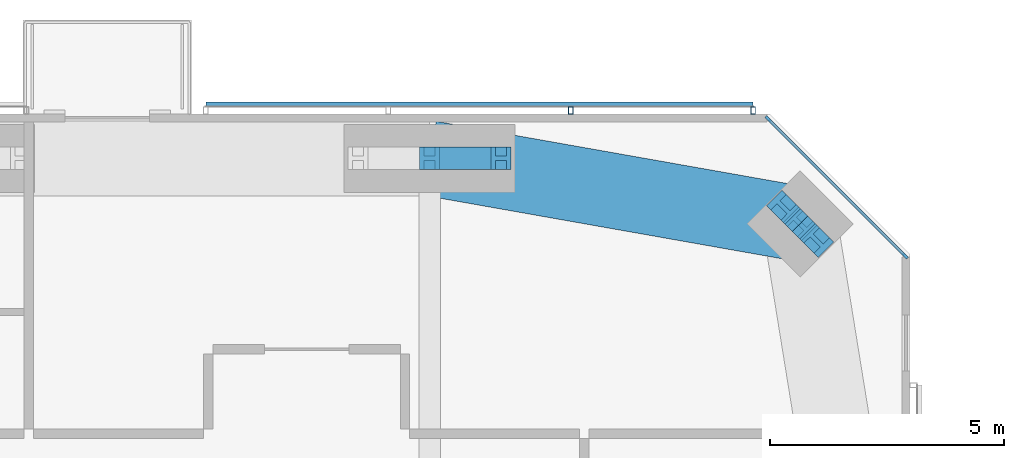
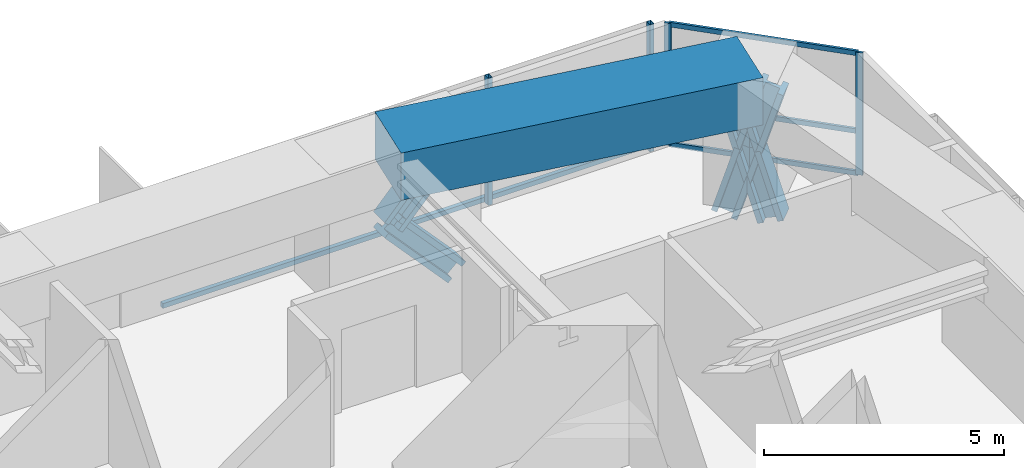
# One storey, part 13 of 22: 14 members, 1 beam, 2 elements without a shape of their own.
"""IFC4 building model written with IfcOpenShell, lengths in metres."""

from ifc_helpers import new_model, si_unit, direction, frame, origin, origin_2d, place, context, subcontext, project, spatial, rectangle, hollow_rectangle, i_section, extrude, material, material_profile, profile_set, type_object, element, aggregate, save


model = new_model("IFC4")

# Units and contexts
model_context = context("Model", 3, precision=1e-05, world=origin(), true_north=direction((0.0, 1.0)))
body_context = subcontext(model_context, "Body", "Model", "MODEL_VIEW")
ifc_project = project(units=[si_unit("LENGTHUNIT", "METRE"), si_unit("AREAUNIT", "SQUARE_METRE"), si_unit("VOLUMEUNIT", "CUBIC_METRE"), si_unit("PLANEANGLEUNIT", "RADIAN"), si_unit("MASSUNIT", "GRAM", prefix="KILO")], contexts=[model_context])

# Site, building, storey
site_placement = place(None, origin())
site = spatial("IfcSite", under=ifc_project, at=site_placement, CompositionType="ELEMENT")
building_placement = place(site_placement, origin())
building = spatial("IfcBuilding", under=site, at=building_placement, Name="Jalousie Tower", CompositionType="ELEMENT")
storey_placement = place(building_placement, frame((0.0, 0.0, 201.25)))
storey = spatial("IfcBuildingStorey", under=building, at=storey_placement, Name="L55", CompositionType="ELEMENT", Elevation=201.25)

# Curtain wall, members
ifc_material_1 = material(Name="Aluminium curtain wall", Category="aluminium")
curtain_wall_type_1 = type_object("IfcCurtainWallType", Name="CORNER WINDOW WALL", PredefinedType="USERDEFINED", material=ifc_material_1)
curtain_wall_1_placement = place(storey_placement, origin())
curtain_wall_1 = element("IfcCurtainWall", 1, at=curtain_wall_1_placement, inside=storey, type_object=curtain_wall_type_1, Name="Corner Window Wall L55 4", ObjectType="CORNER WINDOW WALL", PredefinedType="USERDEFINED")
ifc_material_2 = material(Name="Aluminium mullion", Category="aluminium")
ifc_material_profile_1 = material_profile(ifc_material_2, rectangle(XDim=0.06005859375, YDim=0.14990234375, at=origin_2d()), Name="MULLION 60x150")
ifc_profile_set_1 = profile_set([ifc_material_profile_1], Name="Aluminium mullion")
member_type_1 = type_object("IfcMemberType", Name="CORNER WINDOW WALL MULLION", PredefinedType="MULLION", material=ifc_profile_set_1)
member_1_placement = place(storey_placement, frame((52.891357421875, 32.969970703125, 0.0), z_axis=(0.0, 0.0, 1.0), x_axis=(-0.707106781187, -0.707106781187, 0.0)))
member_1 = element("IfcMember", 2, at=member_1_placement, type_object=member_type_1, Name="CW-C mullion 1", PredefinedType="MULLION", context=body_context, shape_type="SweptSolid", body=[
    extrude(rectangle(XDim=0.06005859375, YDim=0.14990234375, at=origin_2d()), origin(), (0.0, 0.0, 1.0), 3.110107421875),
])
member_2_placement = place(storey_placement, frame((49.969970703125, 35.891357421875, 0.0), z_axis=(0.0, 0.0, 1.0), x_axis=(-0.707106781187, -0.707106781187, 0.0)))
member_2 = element("IfcMember", 3, at=member_2_placement, type_object=member_type_1, Name="CW-C mullion 2", PredefinedType="MULLION", context=body_context, shape_type="SweptSolid", body=[
    extrude(rectangle(XDim=0.06005859375, YDim=0.14990234375, at=origin_2d()), origin(), (0.0, 0.0, 1.0), 3.110107421875),
])
ifc_material_3 = material(Name="Aluminium transom", Category="aluminium")
ifc_material_profile_2 = material_profile(ifc_material_3, rectangle(XDim=0.06005859375, YDim=0.1201171875, at=origin_2d()), Name="TRANSOM 60x120")
ifc_profile_set_2 = profile_set([ifc_material_profile_2], Name="Aluminium transom")
member_type_2 = type_object("IfcMemberType", Name="CORNER WINDOW WALL TRANSOM", PredefinedType="USERDEFINED", material=ifc_profile_set_2)
member_3_placement = place(storey_placement, frame((52.8701171875, 32.9912109375, 0.030029296875), z_axis=(-0.707106781187, 0.707106781187, 0.0), x_axis=(-0.707106781187, -0.707106781187, 0.0)))
member_3 = element("IfcMember", 4, at=member_3_placement, type_object=member_type_2, Name="CW-C transom 1.1", ObjectType="TRANSOM", PredefinedType="USERDEFINED", context=body_context, shape_type="SweptSolid", body=[
    extrude(rectangle(XDim=0.06005859375, YDim=0.1201171875, at=origin_2d()), origin(), (0.0, 0.0, 1.0), 4.0712890625),
])
member_4_placement = place(storey_placement, frame((52.8701171875, 32.9912109375, 1.10009765625), z_axis=(-0.707106781187, 0.707106781187, 0.0), x_axis=(-0.707106781187, -0.707106781187, 0.0)))
member_4 = element("IfcMember", 5, at=member_4_placement, type_object=member_type_2, Name="CW-C transom 1.2", ObjectType="TRANSOM", PredefinedType="USERDEFINED", context=body_context, shape_type="SweptSolid", body=[
    extrude(rectangle(XDim=0.06005859375, YDim=0.1201171875, at=origin_2d()), origin(), (0.0, 0.0, 1.0), 4.0712890625),
])
member_5_placement = place(storey_placement, frame((52.8701171875, 32.9912109375, 3.080078125), z_axis=(-0.707106781187, 0.707106781187, 0.0), x_axis=(-0.707106781187, -0.707106781187, 0.0)))
member_5 = element("IfcMember", 6, at=member_5_placement, type_object=member_type_2, Name="CW-C transom 1.3", ObjectType="TRANSOM", PredefinedType="USERDEFINED", context=body_context, shape_type="SweptSolid", body=[
    extrude(rectangle(XDim=0.06005859375, YDim=0.1201171875, at=origin_2d()), origin(), (0.0, 0.0, 1.0), 4.0712890625),
])
aggregate(curtain_wall_1, [member_1, member_2, member_3, member_4, member_5])

# Members
ifc_material_4 = material(Name="Steel ASTM A992 Grade 50", Category="steel")
ifc_material_profile_3 = material_profile(ifc_material_4, i_section(OverallWidth=0.472412109375, OverallDepth=0.5791015625, WebThickness=0.094970703125, FlangeThickness=0.1298828125, at=origin_2d()), Name="W14X808")
ifc_profile_set_3 = profile_set([ifc_material_profile_3], Name="Steel ASTM A992 Grade 50")
member_type_3 = type_object("IfcMemberType", Name="PERIMETER BRACE W14X808", PredefinedType="BRACE", material=ifc_profile_set_3)
for number, where, z_axis, x_axis, name in (
    (7, (51.0048828125, 33.2978515625, -0.60009765625), (-0.202092742837, 0.202372069365, 0.958229653493), (-0.707594945859, -0.706618279267, 0.0), "Perimeter brace 08 L55 part 1"),
    (8, (50.651611328125, 33.651611328125, 1.074951171875), (-0.202372069365, 0.202092742837, 0.958229653493), (-0.706618279267, -0.707594945859, 0.0), "Perimeter brace 08 L55 part 2"),
    (9, (50.2978515625, 34.0048828125, -0.60009765625), (0.202372069365, -0.202092742837, 0.958229653493), (0.706618279267, 0.707594945859, 0.0), "Perimeter brace 08 L55 part 3"),
    (10, (50.651611328125, 33.651611328125, 1.074951171875), (0.202092742837, -0.202372069365, 0.958229653493), (0.707594945859, 0.706618279267, 0.0), "Perimeter brace 08 L55 part 4"),
):
    element("IfcMember", number, at=place(storey_placement, frame(where, z_axis=z_axis, x_axis=x_axis)), inside=storey, type_object=member_type_3, Name=name, PredefinedType="BRACE", context=body_context, shape_type="SweptSolid", body=[
        extrude(i_section(OverallWidth=0.472412109375, OverallDepth=0.5791015625, WebThickness=0.094970703125, FlangeThickness=0.1298828125, at=origin_2d()), origin(), (0.0, 0.0, 1.0), 1.748046875),
    ])
for number, where, z_axis, x_axis, name in (
    (11, (42.75, 35.050048828125, 1.074951171875), (0.673187629365, 0.0, 0.739471713908), (0.0, 1.0, 0.0), "Perimeter brace 09 L55 part 2"),
    (12, (44.27490234375, 35.050048828125, -0.60009765625), (-0.673187629365, 0.0, 0.739471713908), (0.0, -1.0, 0.0), "Perimeter brace 09 L55 part 3"),
):
    element("IfcMember", number, at=place(storey_placement, frame(where, z_axis=z_axis, x_axis=x_axis)), inside=storey, type_object=member_type_3, Name=name, PredefinedType="BRACE", context=body_context, shape_type="SweptSolid", body=[
        extrude(i_section(OverallWidth=0.472412109375, OverallDepth=0.5791015625, WebThickness=0.094970703125, FlangeThickness=0.1298828125, at=origin_2d()), origin(), (0.0, 0.0, 1.0), 2.26513671875),
    ])

# Beam
ifc_material_5 = material(Name="Concrete f'c 40 MPa", Category="concrete")
ifc_material_profile_4 = material_profile(ifc_material_5, rectangle(XDim=1.60009765625, YDim=1.199951171875, at=origin_2d()), Name="RC 1600x1200")
ifc_profile_set_4 = profile_set([ifc_material_profile_4], Name="Concrete f'c 40 MPa")
beam_type = type_object("IfcBeamType", Name="RC BEAM 1600x1200", PredefinedType="BEAM", material=ifc_profile_set_4)
beam_placement = place(storey_placement, frame((50.651611328125, 33.651611328125, 2.75), z_axis=(-0.984697370688, 0.174273027632, 0.0), x_axis=(-0.174273027632, -0.984697370688, 0.0)))
element("IfcBeam", 13, at=beam_placement, inside=storey, type_object=beam_type, Name="Edge band beam 08-09 under L56", PredefinedType="BEAM", context=body_context, shape_type="SweptSolid", body=[
    extrude(rectangle(XDim=1.60009765625, YDim=1.199951171875, at=origin_2d()), origin(), (0.0, 0.0, 1.0), 8.0244140625),
])

# Curtain wall, members
ifc_material_6 = material(Name="Perforated aluminium sheet", Category="aluminium")
curtain_wall_type_2 = type_object("IfcCurtainWallType", Name="SOLAR SCREEN SS-1", PredefinedType="USERDEFINED", material=ifc_material_6)
curtain_wall_2_placement = place(storey_placement, origin())
curtain_wall_2 = element("IfcCurtainWall", 14, at=curtain_wall_2_placement, inside=storey, type_object=curtain_wall_type_2, Name="Solar screen L55", ObjectType="SOLAR SCREEN SS-1", PredefinedType="USERDEFINED")
ifc_material_7 = material(Name="Steel ASTM A500 Grade C", Category="steel")
ifc_material_profile_5 = material_profile(ifc_material_7, hollow_rectangle(XDim=0.1015625, YDim=0.15234375, WallThickness=0.00634765625, at=origin_2d()), Name="HSS6X4X1/4")
ifc_profile_set_5 = profile_set([ifc_material_profile_5], Name="Steel ASTM A500 Grade C")
member_type_4 = type_object("IfcMemberType", Name="SOLAR SCREEN SS-1 MULLION", PredefinedType="MULLION", material=ifc_profile_set_5)
member_6_placement = place(storey_placement, frame((49.648681640625, 36.0712890625, -0.1201171875), z_axis=(0.0, 0.0, 1.0), x_axis=(-1.0, 0.0, 0.0)))
member_6 = element("IfcMember", 15, at=member_6_placement, type_object=member_type_4, Name="SS1 post 1", PredefinedType="MULLION", context=body_context, shape_type="SweptSolid", body=[
    extrude(hollow_rectangle(XDim=0.1015625, YDim=0.15234375, WallThickness=0.00634765625, at=origin_2d()), origin(), (0.0, 0.0, 1.0), 3.230224609375),
])
member_7_placement = place(storey_placement, frame((45.757568359375, 36.0712890625, -0.1201171875), z_axis=(0.0, 0.0, 1.0), x_axis=(-1.0, 0.0, 0.0)))
member_7 = element("IfcMember", 16, at=member_7_placement, type_object=member_type_4, Name="SS1 post 2", PredefinedType="MULLION", context=body_context, shape_type="SweptSolid", body=[
    extrude(hollow_rectangle(XDim=0.1015625, YDim=0.15234375, WallThickness=0.00634765625, at=origin_2d()), origin(), (0.0, 0.0, 1.0), 3.230224609375),
])
ifc_material_8 = material(Name="Extruded aluminium screen rail", Category="aluminium")
ifc_material_profile_6 = material_profile(ifc_material_8, rectangle(XDim=0.1015625, YDim=0.1201171875, at=origin_2d()), Name="RAIL 102x120")
ifc_profile_set_6 = profile_set([ifc_material_profile_6], Name="Extruded aluminium screen rail")
member_type_5 = type_object("IfcMemberType", Name="SOLAR SCREEN SS-1 TRANSOM", PredefinedType="USERDEFINED", material=ifc_profile_set_6)
member_8_placement = place(storey_placement, frame((49.648681640625, 36.1982421875, -0.06005859375), z_axis=(-1.0, 0.0, 0.0), x_axis=(0.0, -1.0, 0.0)))
member_8 = element("IfcMember", 17, at=member_8_placement, type_object=member_type_5, Name="SS1 rail", ObjectType="TRANSOM", PredefinedType="USERDEFINED", context=body_context, shape_type="SweptSolid", body=[
    extrude(rectangle(XDim=0.1015625, YDim=0.1201171875, at=origin_2d()), origin(), (0.0, 0.0, 1.0), 11.673583984375),
])
aggregate(curtain_wall_2, [member_6, member_7, member_8])

save(model, "model.ifc")
